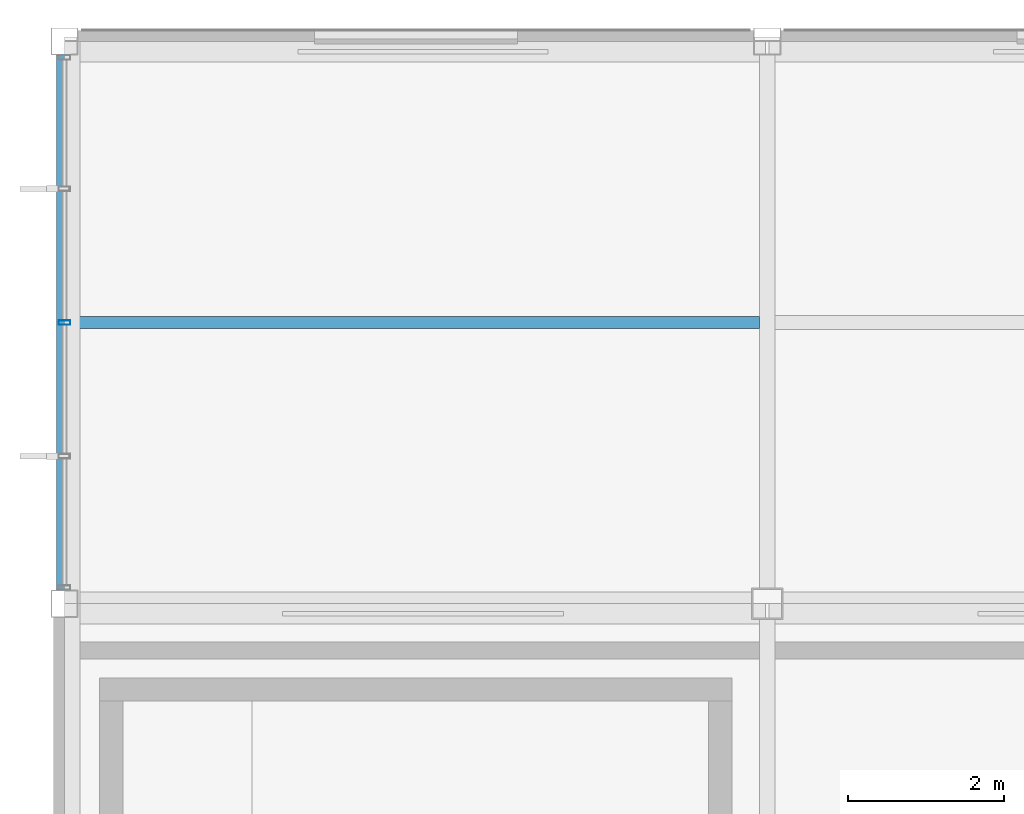
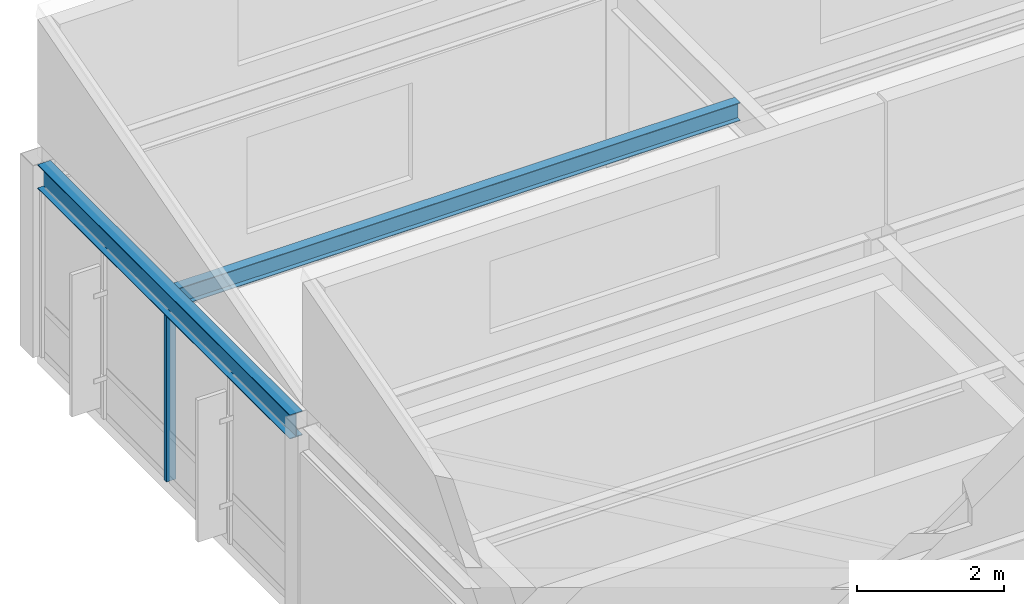
# One storey, part 15 of 43: 2 beams, 1 member, 1 element without a shape of its own.
"""IFC4 building model written with IfcOpenShell, lengths in metres."""

from ifc_helpers import new_model, si_unit, direction, frame, origin, origin_2d, place, context, subcontext, project, spatial, hollow_rectangle, i_section, extrude, material, material_profile, profile_set, type_object, element, aggregate, save


model = new_model("IFC4")

# Units and contexts
model_context = context("Model", 3, precision=1e-05, world=origin(), true_north=direction((0.0, 1.0)))
body_context = subcontext(model_context, "Body", "Model", "MODEL_VIEW")
ifc_project = project(units=[si_unit("LENGTHUNIT", "METRE"), si_unit("AREAUNIT", "SQUARE_METRE"), si_unit("VOLUMEUNIT", "CUBIC_METRE"), si_unit("PLANEANGLEUNIT", "RADIAN"), si_unit("MASSUNIT", "GRAM", prefix="KILO")], contexts=[model_context])

# Site, building, storey
site_placement = place(None, origin())
site = spatial("IfcSite", under=ifc_project, at=site_placement, CompositionType="ELEMENT")
building_placement = place(site_placement, origin())
building = spatial("IfcBuilding", under=site, at=building_placement, Name="Kazanami Central Library", CompositionType="ELEMENT")
storey_placement = place(building_placement, frame((0.0, 0.0, 20.60009765625)))
storey = spatial("IfcBuildingStorey", under=building, at=storey_placement, Name="L06", CompositionType="ELEMENT", Elevation=20.60009765625)

# Beams
ifc_material_1 = material(Name="Steel SN400B (235 MPa)", Category="steel")
ifc_material_profile_1 = material_profile(ifc_material_1, i_section(OverallWidth=0.14990234375, OverallDepth=0.300048828125, WebThickness=0.006591796875, FlangeThickness=0.009033203125, at=origin_2d()), Name="H-300x150x6.5x9")
ifc_profile_set_1 = profile_set([ifc_material_profile_1], Name="Steel SN400B (235 MPa)")
beam_type_1 = type_object("IfcBeamType", Name="BM-B-S4", PredefinedType="JOIST", material=ifc_profile_set_1)
beam_1_placement = place(storey_placement, frame((0.097900390625, 90.0, 3.02978515625), z_axis=(1.0, 0.0, 0.0), x_axis=(0.0, 1.0, 0.0)))
element("IfcBeam", 1, at=beam_1_placement, inside=storey, type_object=beam_type_1, Name="Composite Secondary Joist B-S4 L06 Bay 1/N.1", PredefinedType="JOIST", context=body_context, shape_type="SweptSolid", body=[
    extrude(i_section(OverallWidth=0.14990234375, OverallDepth=0.300048828125, WebThickness=0.006591796875, FlangeThickness=0.009033203125, at=origin_2d()), origin(), (0.0, 0.0, 1.0), 8.80419921875),
])
ifc_material_2 = material(Name="Steel SN490B (325 MPa)", Category="steel")
ifc_material_profile_2 = material_profile(ifc_material_2, i_section(OverallWidth=0.199951171875, OverallDepth=0.39990234375, WebThickness=0.008056640625, FlangeThickness=0.012939453125, at=origin_2d()), Name="H-400x200x8x13")
ifc_profile_set_2 = profile_set([ifc_material_profile_2], Name="Steel SN490B (325 MPa)")
beam_type_2 = type_object("IfcBeamType", Name="BM-SP-3", PredefinedType="SPANDREL", material=ifc_profile_set_2)
beam_2_placement = place(storey_placement, frame((0.0, 86.572998046875, 2.97998046875), z_axis=(0.0, 1.0, 0.0), x_axis=(-1.0, 0.0, 0.0)))
element("IfcBeam", 2, at=beam_2_placement, inside=storey, type_object=beam_type_2, Name="Girder SP-3 L06 1/N-O", PredefinedType="SPANDREL", context=body_context, shape_type="SweptSolid", body=[
    extrude(i_section(OverallWidth=0.199951171875, OverallDepth=0.39990234375, WebThickness=0.008056640625, FlangeThickness=0.012939453125, at=origin_2d()), origin(), (0.0, 0.0, 1.0), 6.85400390625),
])

# Curtain wall, member
ifc_material_3 = material(Name="Acid-Etched Low-E Laminated Glass", Category="glass")
curtain_wall_type = type_object("IfcCurtainWallType", Name="CW-6850x2780-M180", PredefinedType="USERDEFINED", material=ifc_material_3)
curtain_wall_placement = place(storey_placement, origin())
curtain_wall = element("IfcCurtainWall", 3, at=curtain_wall_placement, inside=storey, type_object=curtain_wall_type, Name="Unitised Curtain Wall CW-58 L06 W-1-12", ObjectType="UNITISED CURTAIN WALL", PredefinedType="USERDEFINED")
ifc_material_4 = material(Name="Anodised Aluminium A6063-T5", Category="aluminium")
ifc_material_profile_3 = material_profile(ifc_material_4, hollow_rectangle(XDim=0.06005859375, YDim=0.14990234375, WallThickness=0.00390625, at=origin_2d()), Name="ALU-MULL-60x150x4")
ifc_profile_set_3 = profile_set([ifc_material_profile_3], Name="Anodised Aluminium A6063-T5")
member_type = type_object("IfcMemberType", Name="MEM-CW-M3", PredefinedType="MULLION", material=ifc_profile_set_3)
member_placement = place(storey_placement, frame((0.0, 90.0, 0.0), z_axis=(0.0, 0.0, 1.0), x_axis=(0.0, 1.0, 0.0)))
member = element("IfcMember", 4, at=member_placement, type_object=member_type, Name="CW-58 mullion 3", PredefinedType="MULLION", context=body_context, shape_type="SweptSolid", body=[
    extrude(hollow_rectangle(XDim=0.06005859375, YDim=0.14990234375, WallThickness=0.00390625, at=origin_2d()), origin(), (0.0, 0.0, 1.0), 2.77978515625),
])
aggregate(curtain_wall, [member])

save(model, "model.ifc")
